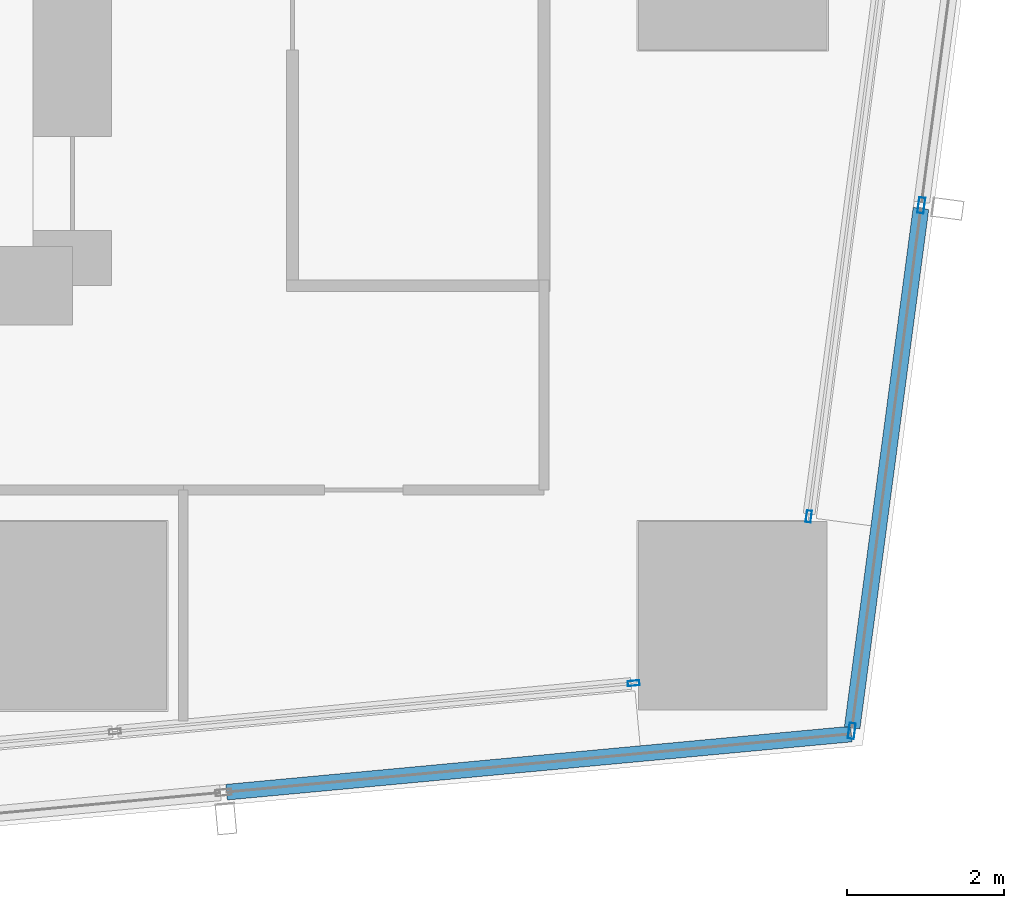
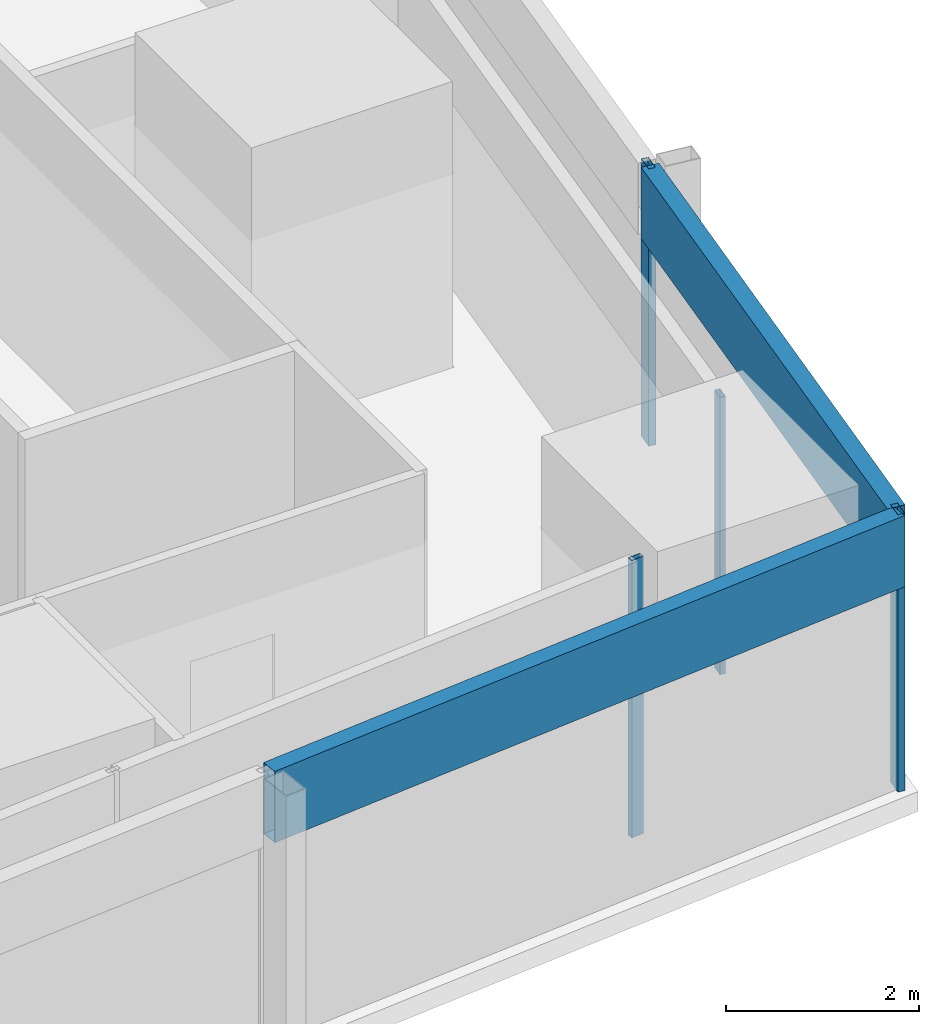
# One storey, part 10 of 37: 6 members, 4 elements without a shape of their own.
"""IFC4 building model written with IfcOpenShell, lengths in metres."""

from ifc_helpers import new_model, si_unit, direction, frame, origin, origin_2d, place, context, subcontext, project, spatial, hollow_rectangle, extrude, material, material_profile, profile_set, type_object, element, aggregate, save


model = new_model("IFC4")

# Units and contexts
model_context = context("Model", 3, precision=1e-05, world=origin(), true_north=direction((0.0, 1.0)))
body_context = subcontext(model_context, "Body", "Model", "MODEL_VIEW")
ifc_project = project(units=[si_unit("LENGTHUNIT", "METRE"), si_unit("AREAUNIT", "SQUARE_METRE"), si_unit("VOLUMEUNIT", "CUBIC_METRE"), si_unit("PLANEANGLEUNIT", "RADIAN"), si_unit("MASSUNIT", "GRAM", prefix="KILO")], contexts=[model_context])

# Site, building, storey
site_placement = place(None, origin())
site = spatial("IfcSite", under=ifc_project, at=site_placement, CompositionType="ELEMENT")
building_placement = place(site_placement, origin())
building = spatial("IfcBuilding", under=site, at=building_placement, Name="Rekha Terrace Tower", CompositionType="ELEMENT")
storey_placement = place(building_placement, frame((0.0, 0.0, 232.699951171875)))
storey = spatial("IfcBuildingStorey", under=building, at=storey_placement, Name="L59", CompositionType="ELEMENT", Elevation=232.699951171875)

# Curtain wall, member
ifc_material_1 = material(Name="Aluminium framing", Category="aluminium")
curtain_wall_type_1 = type_object("IfcCurtainWallType", Name="CW1 double skin inner glazing", PredefinedType="USERDEFINED", material=ifc_material_1)
curtain_wall_1_placement = place(storey_placement, origin())
curtain_wall_1 = element("IfcCurtainWall", 1, at=curtain_wall_1_placement, inside=storey, type_object=curtain_wall_type_1, Name="CW1 double skin inner glazing", ObjectType="DOUBLE SKIN INNER GLAZING", PredefinedType="USERDEFINED")
ifc_material_2 = material(Name="Aluminium mullion section", Category="aluminium")
ifc_material_profile_1 = material_profile(ifc_material_2, hollow_rectangle(XDim=0.06494140625, YDim=0.14990234375, WallThickness=0.00390625, at=origin_2d()), Name="AL RHS 65x150")
ifc_profile_set_1 = profile_set([ifc_material_profile_1], Name="Aluminium mullion section")
member_type_1 = type_object("IfcMemberType", Name="CW1 mullion RHS 65 x 150", PredefinedType="MULLION", material=ifc_profile_set_1)
member_1_placement = place(storey_placement, frame((57.538818359375, 15.943603515625, 0.0), z_axis=(0.0, 0.0, 1.0), x_axis=(-0.092708869546, 0.995693258744, 0.0)))
member_1 = element("IfcMember", 2, at=member_1_placement, type_object=member_type_1, Name="CW1 mullion 3", PredefinedType="MULLION", context=body_context, shape_type="SweptSolid", body=[
    extrude(hollow_rectangle(XDim=0.06494140625, YDim=0.14990234375, WallThickness=0.00390625, at=origin_2d()), origin(), (0.0, 0.0, 1.0), 3.5),
])
aggregate(curtain_wall_1, [member_1])

curtain_wall_2_placement = place(storey_placement, origin())
curtain_wall_2 = element("IfcCurtainWall", 3, at=curtain_wall_2_placement, inside=storey, type_object=curtain_wall_type_1, Name="CW1 double skin inner glazing", ObjectType="DOUBLE SKIN INNER GLAZING", PredefinedType="USERDEFINED")
member_2_placement = place(storey_placement, frame((59.766845703125, 18.064453125, 0.0), z_axis=(0.0, 0.0, 1.0), x_axis=(-0.991342203191, 0.131303603041, 0.0)))
member_2 = element("IfcMember", 4, at=member_2_placement, type_object=member_type_1, Name="CW1 mullion 1", PredefinedType="MULLION", context=body_context, shape_type="SweptSolid", body=[
    extrude(hollow_rectangle(XDim=0.06494140625, YDim=0.14990234375, WallThickness=0.00390625, at=origin_2d()), origin(), (0.0, 0.0, 1.0), 3.5),
])
aggregate(curtain_wall_2, [member_2])

# Curtain wall, members
curtain_wall_type_2 = type_object("IfcCurtainWallType", Name="CW2 double skin outer glazing", PredefinedType="USERDEFINED", material=ifc_material_1)
curtain_wall_3_placement = place(storey_placement, origin())
curtain_wall_3 = element("IfcCurtainWall", 5, at=curtain_wall_3_placement, inside=storey, type_object=curtain_wall_type_2, Name="CW2 double skin outer glazing", ObjectType="DOUBLE SKIN OUTER GLAZING", PredefinedType="USERDEFINED")
ifc_material_profile_2 = material_profile(ifc_material_2, hollow_rectangle(XDim=0.080078125, YDim=0.199951171875, WallThickness=0.00390625, at=origin_2d()), Name="AL RHS 80x200")
ifc_profile_set_2 = profile_set([ifc_material_profile_2], Name="Aluminium mullion section")
member_type_2 = type_object("IfcMemberType", Name="CW2 mullion RHS 80 x 200", PredefinedType="MULLION", material=ifc_profile_set_2)
member_3_placement = place(storey_placement, frame((60.3134765625, 15.337158203125, 0.0), z_axis=(0.0, 0.0, 1.0), x_axis=(-0.991342203187, 0.131303603075, 0.0)))
member_3 = element("IfcMember", 6, at=member_3_placement, type_object=member_type_2, Name="CW2 mullion 1", PredefinedType="MULLION", context=body_context, shape_type="SweptSolid", body=[
    extrude(hollow_rectangle(XDim=0.080078125, YDim=0.199951171875, WallThickness=0.00390625, at=origin_2d()), origin(), (0.0, 0.0, 1.0), 3.5),
])
member_4_placement = place(storey_placement, frame((61.19873046875, 22.021728515625, 0.0), z_axis=(0.0, 0.0, 1.0), x_axis=(-0.991342203187, 0.131303603075, 0.0)))
member_4 = element("IfcMember", 7, at=member_4_placement, type_object=member_type_2, Name="CW2 mullion 2", PredefinedType="MULLION", context=body_context, shape_type="SweptSolid", body=[
    extrude(hollow_rectangle(XDim=0.080078125, YDim=0.199951171875, WallThickness=0.00390625, at=origin_2d()), origin(), (0.0, 0.0, 1.0), 3.5),
])

# Curtain wall, member
curtain_wall_4_placement = place(storey_placement, origin())
curtain_wall_4 = element("IfcCurtainWall", 8, at=curtain_wall_4_placement, inside=storey, type_object=curtain_wall_type_2, Name="CW2 double skin outer glazing", ObjectType="DOUBLE SKIN OUTER GLAZING", PredefinedType="USERDEFINED")
ifc_material_3 = material(Name="Insulated aluminium spandrel box", Category="aluminium")
ifc_material_profile_3 = material_profile(ifc_material_3, hollow_rectangle(XDim=0.199951171875, YDim=0.89990234375, WallThickness=0.0029296875, at=origin_2d()), Name="AL SPANDREL BOX 200x900")
ifc_profile_set_3 = profile_set([ifc_material_profile_3], Name="Insulated aluminium spandrel box")
member_type_3 = type_object("IfcMemberType", Name="CW2 spandrel transom 200 x 900", PredefinedType="USERDEFINED", material=ifc_profile_set_3)
member_5_placement = place(storey_placement, frame((52.36181640625, 14.5576171875, 3.050048828125), z_axis=(0.99569478362, 0.092692490917, 0.0), x_axis=(-0.092692490917, 0.99569478362, 0.0)))
member_5 = element("IfcMember", 9, at=member_5_placement, type_object=member_type_3, Name="CW2 spandrel transom 2", ObjectType="TRANSOM", PredefinedType="USERDEFINED", context=body_context, shape_type="SweptSolid", body=[
    extrude(hollow_rectangle(XDim=0.199951171875, YDim=0.89990234375, WallThickness=0.0029296875, at=origin_2d()), origin(), (0.0, 0.0, 1.0), 7.980712890625),
])
aggregate(curtain_wall_4, [member_5])

# Member
member_6_placement = place(storey_placement, frame((60.318603515625, 15.376708984375, 3.050048828125), z_axis=(0.131318864981, 0.991340181623, 0.0), x_axis=(-0.991340181623, 0.131318864981, 0.0)))
member_6 = element("IfcMember", 10, at=member_6_placement, type_object=member_type_3, Name="CW2 spandrel transom 1", ObjectType="TRANSOM", PredefinedType="USERDEFINED", context=body_context, shape_type="SweptSolid", body=[
    extrude(hollow_rectangle(XDim=0.199951171875, YDim=0.89990234375, WallThickness=0.0029296875, at=origin_2d()), origin(), (0.0, 0.0, 1.0), 6.6630859375),
])

aggregate(curtain_wall_3, [member_3, member_4, member_6])

save(model, "model.ifc")
